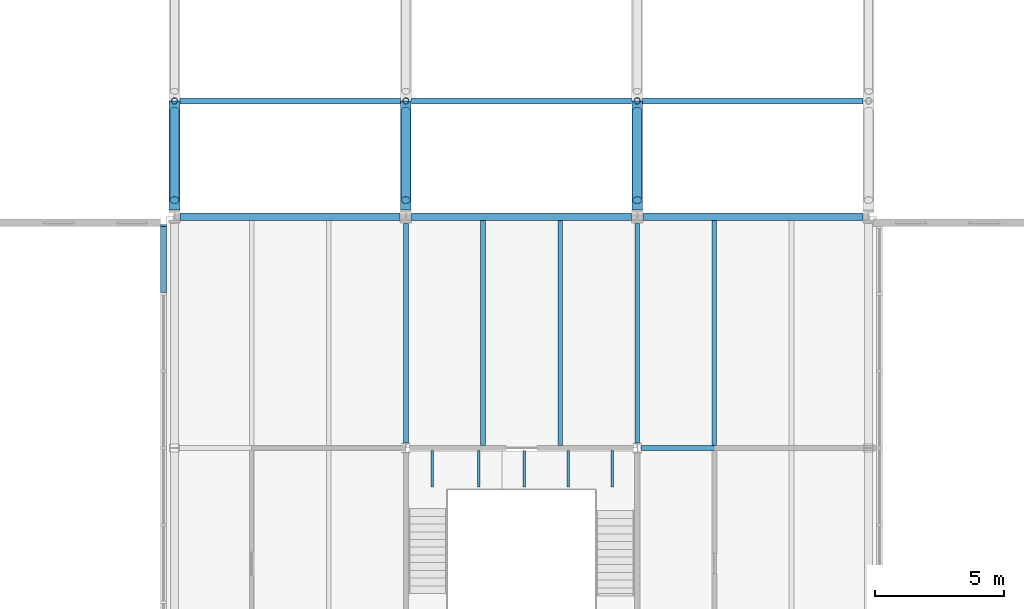
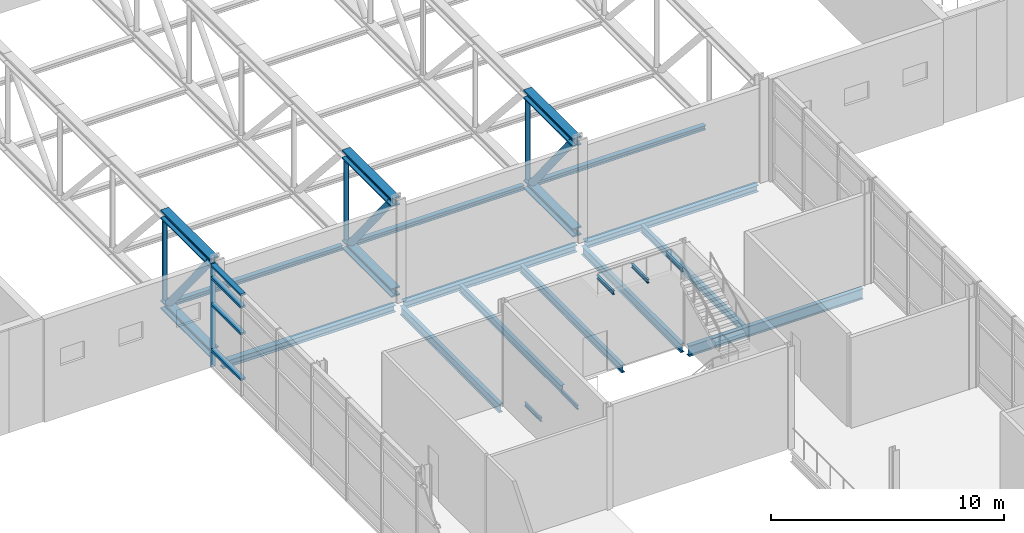
# One storey, part 18 of 53: 23 beams, 11 members, 1 element without a shape of its own.
"""IFC4 building model written with IfcOpenShell, lengths in metres."""

import ifcopenshell
import ifcopenshell.guid

model = None  # the IFC model being written
_history = None  # IfcOwnerHistory: only IFC2X3 demands one
_inside = {}  # id of a spatial element -> (the spatial element, [elements in it])
_under = {}  # id of a project, library or spatial element -> (it, [spatial elements below it])
_declared = {}  # id of a project -> (the project, [libraries it declares])
_typed = {}  # id of a type object -> (the type object, [elements of that type])
_made_of = {}  # id of a material, layer set ... -> (it, [elements and type objects made of it])


def new_model(schema):
    """Start an empty IFC model of exactly this schema.

    Asked for "IFC4X3", IfcOpenShell would pick the latest addendum, in which some entities
    have other attributes; the version numbers below select the first issue.
    IFC2X3 requires an IfcOwnerHistory on every rooted entity: one is made here for all.
    """
    global model, _history
    if schema == "IFC4X3":
        model = ifcopenshell.file(schema_version=(4, 3, 0, 0))
    else:
        model = ifcopenshell.file(schema=schema)
    _inside.clear()
    _under.clear()
    _declared.clear()
    _typed.clear()
    _made_of.clear()
    _history = None
    if model.schema == "IFC2X3":
        org = make("IfcOrganization", Name="unknown")
        user = make(
            "IfcPersonAndOrganization",
            ThePerson=make("IfcPerson", FamilyName="unknown"),
            TheOrganization=org,
        )
        app = make(
            "IfcApplication",
            ApplicationDeveloper=org,
            Version="unknown",
            ApplicationFullName="unknown",
            ApplicationIdentifier="unknown",
        )
        _history = make(
            "IfcOwnerHistory",
            OwningUser=user,
            OwningApplication=app,
            ChangeAction="ADDED",
            CreationDate=0,
        )
    return model


def make(cls, **values):
    """One entity of the class cls with the attributes given. An attribute that is None is left unset."""
    return model.create_entity(
        cls, **{name: value for name, value in values.items() if value is not None}
    )


def rooted(cls, **values):
    """An entity with a GlobalId (a new one), such as an element, a storey or a relation."""
    return make(cls, GlobalId=ifcopenshell.guid.new(), OwnerHistory=_history, **values)


def si_unit(unit_type, name, prefix=None):
    """IfcSIUnit, for example si_unit("LENGTHUNIT", "METRE", prefix="MILLI")."""
    return make("IfcSIUnit", UnitType=unit_type, Prefix=prefix, Name=name)


def assignment(units):
    """IfcUnitAssignment: the units of a project."""
    return None if units is None else make("IfcUnitAssignment", Units=units)


def point(xyz):
    """IfcCartesianPoint."""
    return None if xyz is None else make("IfcCartesianPoint", Coordinates=xyz)


def direction(xyz):
    """IfcDirection."""
    return None if xyz is None else make("IfcDirection", DirectionRatios=xyz)


def frame(location, z_axis=None, x_axis=None):
    """IfcAxis2Placement3D, a coordinate frame: its origin and axes. An axis left out is left unset."""
    return make(
        "IfcAxis2Placement3D",
        Location=point(location),
        Axis=direction(z_axis),
        RefDirection=direction(x_axis),
    )


def frame_2d(location, x_axis=None):
    """IfcAxis2Placement2D, a coordinate frame in the plane: its origin and x axis."""
    return make(
        "IfcAxis2Placement2D", Location=point(location), RefDirection=direction(x_axis)
    )


def origin():
    """The frame at (0, 0, 0) with its axes left unset."""
    return frame((0.0, 0.0, 0.0))


def origin_2d():
    """The frame at (0, 0) in the plane with its x axis left unset."""
    return frame_2d((0.0, 0.0))


def place(relative_to, where):
    """IfcLocalPlacement: puts the frame where relative to a parent placement (None: the world)."""
    return make(
        "IfcLocalPlacement", PlacementRelTo=relative_to, RelativePlacement=where
    )


def context(
    kind, dimensions, precision=None, world=None, true_north=None, identifier=None
):
    """IfcGeometricRepresentationContext, for example the 3D "Model" context."""
    return make(
        "IfcGeometricRepresentationContext",
        ContextIdentifier=identifier,
        ContextType=kind,
        CoordinateSpaceDimension=dimensions,
        Precision=precision,
        WorldCoordinateSystem=world,
        TrueNorth=true_north,
    )


def subcontext(parent, identifier, kind, view, scale=None):
    """IfcGeometricRepresentationSubContext, for example "Body" below "Model"."""
    return make(
        "IfcGeometricRepresentationSubContext",
        ContextIdentifier=identifier,
        ContextType=kind,
        ParentContext=parent,
        TargetScale=scale,
        TargetView=view,
    )


def project(units=None, contexts=None):
    """IfcProject with its units and contexts."""
    return rooted(
        "IfcProject",
        Name="project",
        RepresentationContexts=contexts,
        UnitsInContext=assignment(units),
    )


def spatial(cls, under=None, at=None, **own):
    """A site, building, storey or space (cls), placed at a placement, below another one or the project."""
    s = rooted(cls, ObjectPlacement=at, **own)
    if under is not None:
        _under.setdefault(under.id(), (under, []))[1].append(s)
    return s


def profile(cls, at=None, kind="AREA", **sizes):
    """A parametric profile (cls). Its sizes go by their IFC names, for example OverallWidth=200.0."""
    return make(cls, ProfileType=kind, Position=at, **sizes)


def rectangle(**sizes):
    """IfcRectangleProfileDef."""
    return profile("IfcRectangleProfileDef", **sizes)


def hollow_circle(**sizes):
    """IfcCircleHollowProfileDef."""
    return profile("IfcCircleHollowProfileDef", **sizes)


def i_section(**sizes):
    """IfcIShapeProfileDef."""
    return profile("IfcIShapeProfileDef", **sizes)


def extrude(swept, where, along, depth):
    """IfcExtrudedAreaSolid: the profile swept, set in the frame where, extruded along a direction by depth."""
    return make(
        "IfcExtrudedAreaSolid",
        SweptArea=swept,
        Position=where,
        ExtrudedDirection=direction(along),
        Depth=depth,
    )


def shape(context_of_items, identifier, shape_type, items):
    """IfcShapeRepresentation: the items that make up one representation, for example the "Body"."""
    return make(
        "IfcShapeRepresentation",
        ContextOfItems=context_of_items,
        RepresentationIdentifier=identifier,
        RepresentationType=shape_type,
        Items=items,
    )


def material(Name=None, Category=None):
    """IfcMaterial."""
    return make("IfcMaterial", Name=Name, Category=Category)


def material_profile(
    of_material, cross_section, Name=None, Category=None, Priority=None
):
    """IfcMaterialProfile: a cross section and its material."""
    return make(
        "IfcMaterialProfile",
        Name=Name,
        Material=of_material,
        Profile=cross_section,
        Priority=Priority,
        Category=Category,
    )


def profile_set(profiles, Name=None, composite=None):
    """IfcMaterialProfileSet."""
    return make(
        "IfcMaterialProfileSet",
        Name=Name,
        MaterialProfiles=profiles,
        CompositeProfile=composite,
    )


def made_of(thing, what):
    """Note that an element or type object is made of a material, layer set ...; save() writes the relation."""
    if what is not None:
        _made_of.setdefault(what.id(), (what, []))[1].append(thing)
    return thing


def type_object(cls, material=None, **own):
    """A type object (cls), such as IfcWallType, which elements share."""
    return made_of(rooted(cls, **own), material)


def element(
    cls,
    number,
    at=None,
    inside=None,
    cuts=None,
    type_object=None,
    material=None,
    context=None,
    identifier="Body",
    shape_type=None,
    held_by="IfcProductDefinitionShape",
    body=None,
    shapes=None,
    **own,
):
    """One element of the class cls, such as IfcWall. Its Tag is "e" and its number.

    at: its placement. inside: the storey or other place that contains it. cuts: it is an
    opening in that element (IfcRelVoidsElement). A single representation is given by context,
    identifier, shape_type and body (its items); several are given by shapes. held_by: the class
    of the entity that holds the representations. save() writes the other relations.
    """
    e = rooted(cls, Tag="e%d" % number, ObjectPlacement=at, **own)
    if body is not None:
        shapes = [shape(context, identifier, shape_type, body)]
    if shapes is not None:
        e.Representation = make(held_by, Representations=shapes)
    if inside is not None:
        _inside.setdefault(inside.id(), (inside, []))[1].append(e)
    if cuts is not None:
        rooted(
            "IfcRelVoidsElement", RelatingBuildingElement=cuts, RelatedOpeningElement=e
        )
    if type_object is not None:
        _typed.setdefault(type_object.id(), (type_object, []))[1].append(e)
    return made_of(e, material)


def aggregate(whole, parts):
    """IfcRelAggregates: a whole, such as a stair, and the parts it consists of."""
    return rooted("IfcRelAggregates", RelatingObject=whole, RelatedObjects=parts)


def save(model, path):
    """Write the relations noted so far, then the file.

    IfcRelAggregates (storeys below a building ...), IfcRelContainedInSpatialStructure (elements
    in a storey), IfcRelDefinesByType, IfcRelAssociatesMaterial and IfcRelDeclares: one each for
    every whole, place, type object, material and project.
    """
    for whole, parts in _under.values():
        aggregate(whole, parts)
    for where, things in _inside.values():
        rooted(
            "IfcRelContainedInSpatialStructure",
            RelatedElements=things,
            RelatingStructure=where,
        )
    for kind, things in _typed.values():
        rooted("IfcRelDefinesByType", RelatedObjects=things, RelatingType=kind)
    for what, things in _made_of.values():
        rooted("IfcRelAssociatesMaterial", RelatedObjects=things, RelatingMaterial=what)
    for by, libraries in _declared.values():
        rooted("IfcRelDeclares", RelatingContext=by, RelatedDefinitions=libraries)
    model.write(path)


model = new_model("IFC4")

# Units and contexts
model_context = context("Model", 3, precision=1e-05, world=origin(), true_north=direction((0.0, 1.0)))
body_context = subcontext(model_context, "Body", "Model", "MODEL_VIEW")
ifc_project = project(units=[si_unit("LENGTHUNIT", "METRE"), si_unit("AREAUNIT", "SQUARE_METRE"), si_unit("VOLUMEUNIT", "CUBIC_METRE"), si_unit("PLANEANGLEUNIT", "RADIAN"), si_unit("MASSUNIT", "GRAM", prefix="KILO")], contexts=[model_context])

# Site, building, storey
site_placement = place(None, origin())
site = spatial("IfcSite", under=ifc_project, at=site_placement, CompositionType="ELEMENT")
building_placement = place(site_placement, origin())
building = spatial("IfcBuilding", under=site, at=building_placement, Name="Azimuth Sports and Learning Centre", CompositionType="ELEMENT")
storey_placement = place(building_placement, frame((0.0, 0.0, 10.800048828125)))
storey = spatial("IfcBuildingStorey", under=building, at=storey_placement, Name="L02", CompositionType="ELEMENT", Elevation=10.800048828125)

# Beams
ifc_material_1 = material(Name="Steel S355", Category="steel")
ifc_material_profile_1 = material_profile(ifc_material_1, i_section(OverallWidth=0.239990234375, OverallDepth=0.239990234375, WebThickness=0.010009765625, FlangeThickness=0.01708984375, FilletRadius=0.02099609375, at=origin_2d()), Name="HEB 240")
ifc_profile_set_1 = profile_set([ifc_material_profile_1], Name="Steel S355")
beam_type_1 = type_object("IfcBeamType", Name="Beam HEB 240", PredefinedType="BEAM", material=ifc_profile_set_1)
for number, where, z_axis, x_axis, name in (
    (1, (72.2119140625, 94.5, 0.119873046875), (1.0, 0.0, 0.0), (0.0, 1.0, 0.0), "Floor truss bracing strut 1"),
    (2, (81.2119140625, 94.5, 0.119873046875), (1.0, 0.0, 0.0), (0.0, 1.0, 0.0), "Floor truss bracing strut 2"),
    (3, (90.2119140625, 94.5, 0.119873046875), (1.0, 0.0, 0.0), (0.0, 1.0, 0.0), "Floor truss bracing strut 3"),
):
    element("IfcBeam", number, at=place(storey_placement, frame(where, z_axis=z_axis, x_axis=x_axis)), inside=storey, type_object=beam_type_1, Name=name, PredefinedType="BEAM", context=body_context, shape_type="SweptSolid", body=[
        extrude(i_section(OverallWidth=0.239990234375, OverallDepth=0.239990234375, WebThickness=0.010009765625, FlangeThickness=0.01708984375, FilletRadius=0.02099609375, at=origin_2d()), origin(), (0.0, 0.0, 1.0), 8.576171875),
    ])
ifc_material_2 = material(Name="Steel S355", Category="steel")
ifc_material_profile_2 = material_profile(ifc_material_2, i_section(OverallWidth=0.10009765625, OverallDepth=0.199951171875, WebThickness=0.005615234375, FlangeThickness=0.008544921875, FilletRadius=0.011962890625, at=origin_2d()), Name="IPE 200")
ifc_profile_set_2 = profile_set([ifc_material_profile_2], Name="Steel S355")
beam_type_2 = type_object("IfcBeamType", Name="Beam IPE 200", PredefinedType="BEAM", material=ifc_profile_set_2)
for number, where, z_axis, x_axis, name in (
    (4, (82.02001953125, 80.89990234375, -0.300048828125), (0.0, -1.0, 0.0), (1.0, 0.0, 0.0), "Landing bracket STD L02 1177"),
    (5, (83.840087890625, 80.89990234375, -0.300048828125), (0.0, -1.0, 0.0), (1.0, 0.0, 0.0), "Landing bracket STD L02 1178"),
    (6, (85.606689453125, 80.89990234375, 5.099853515625), (0.0, -1.0, 0.0), (1.0, 0.0, 0.0), "Landing bracket STD L02 1183"),
    (7, (87.320068359375, 80.89990234375, 5.099853515625), (0.0, -1.0, 0.0), (1.0, 0.0, 0.0), "Landing bracket STD L02 1184"),
    (8, (89.033447265625, 80.89990234375, 5.099853515625), (0.0, -1.0, 0.0), (1.0, 0.0, 0.0), "Landing bracket STD L02 1185"),
):
    element("IfcBeam", number, at=place(storey_placement, frame(where, z_axis=z_axis, x_axis=x_axis)), inside=storey, type_object=beam_type_2, Name=name, PredefinedType="BEAM", context=body_context, shape_type="SweptSolid", body=[
        extrude(i_section(OverallWidth=0.10009765625, OverallDepth=0.199951171875, WebThickness=0.005615234375, FlangeThickness=0.008544921875, FilletRadius=0.011962890625, at=origin_2d()), origin(), (0.0, 0.0, 1.0), 1.409912109375),
    ])
ifc_material_3 = material(Name="Steel S355", Category="steel")
ifc_material_profile_3 = material_profile(ifc_material_3, i_section(OverallWidth=0.18994140625, OverallDepth=0.449951171875, WebThickness=0.009521484375, FlangeThickness=0.0146484375, FilletRadius=0.02099609375, at=origin_2d()), Name="IPE 450")
ifc_profile_set_3 = profile_set([ifc_material_profile_3], Name="Steel S355")
beam_type_3 = type_object("IfcBeamType", Name="Beam IPE 450", PredefinedType="BEAM", material=ifc_profile_set_3)
for number, where, z_axis, x_axis, name in (
    (9, (81.0, 81.199951171875, -0.375), (0.0, 1.0, 0.0), (-1.0, 0.0, 0.0), "Beam L02 ST 34"),
    (10, (90.0, 81.199951171875, -0.375), (0.0, 1.0, 0.0), (-1.0, 0.0, 0.0), "Beam L02 ST 40"),
):
    element("IfcBeam", number, at=place(storey_placement, frame(where, z_axis=z_axis, x_axis=x_axis)), inside=storey, type_object=beam_type_3, Name=name, PredefinedType="BEAM", context=body_context, shape_type="SweptSolid", body=[
        extrude(i_section(OverallWidth=0.18994140625, OverallDepth=0.449951171875, WebThickness=0.009521484375, FlangeThickness=0.0146484375, FilletRadius=0.02099609375, at=origin_2d()), origin(), (0.0, 0.0, 1.0), 8.53466796875),
    ])
ifc_material_4 = material(Name="Steel S355", Category="steel")
ifc_material_profile_4 = material_profile(ifc_material_4, i_section(OverallWidth=0.2099609375, OverallDepth=0.550048828125, WebThickness=0.010986328125, FlangeThickness=0.01708984375, FilletRadius=0.02392578125, at=origin_2d()), Name="IPE 550")
ifc_profile_set_4 = profile_set([ifc_material_profile_4], Name="Steel S355")
beam_type_4 = type_object("IfcBeamType", Name="Beam IPE 550", PredefinedType="BEAM", material=ifc_profile_set_4)
beam_1_placement = place(storey_placement, frame((90.14990234375, 81.0, -0.425048828125), z_axis=(1.0, 0.0, 0.0), x_axis=(0.0, 1.0, 0.0)))
element("IfcBeam", 11, at=beam_1_placement, inside=storey, type_object=beam_type_4, Name="Beam L02 ST 17", PredefinedType="BEAM", context=body_context, shape_type="SweptSolid", body=[
    extrude(i_section(OverallWidth=0.2099609375, OverallDepth=0.550048828125, WebThickness=0.010986328125, FlangeThickness=0.01708984375, FilletRadius=0.02392578125, at=origin_2d()), origin(), (0.0, 0.0, 1.0), 8.650146484375),
])
ifc_material_5 = material(Name="Steel S355", Category="steel")
ifc_material_profile_5 = material_profile(ifc_material_5, i_section(OverallWidth=0.300048828125, OverallDepth=0.35009765625, WebThickness=0.010009765625, FlangeThickness=0.017578125, FilletRadius=0.027099609375, at=origin_2d()), Name="HEA 360")
ifc_profile_set_5 = profile_set([ifc_material_profile_5], Name="Steel S355")
beam_type_5 = type_object("IfcBeamType", Name="Edge beam HEA 360", PredefinedType="SPANDREL", material=ifc_profile_set_5)
for number, where, z_axis, x_axis, name in (
    (12, (72.220947265625, 90.0, -0.324951171875), (1.0, 0.0, 0.0), (0.0, 1.0, 0.0), "Edge beam L02 ST 18"),
    (13, (81.220947265625, 90.0, -0.324951171875), (1.0, 0.0, 0.0), (0.0, 1.0, 0.0), "Edge beam L02 ST 19"),
    (14, (90.220947265625, 90.0, -0.324951171875), (1.0, 0.0, 0.0), (0.0, 1.0, 0.0), "Edge beam L02 ST 20"),
):
    element("IfcBeam", number, at=place(storey_placement, frame(where, z_axis=z_axis, x_axis=x_axis)), inside=storey, type_object=beam_type_5, Name=name, PredefinedType="SPANDREL", context=body_context, shape_type="SweptSolid", body=[
        extrude(i_section(OverallWidth=0.300048828125, OverallDepth=0.35009765625, WebThickness=0.010009765625, FlangeThickness=0.017578125, FilletRadius=0.027099609375, at=origin_2d()), origin(), (0.0, 0.0, 1.0), 8.55810546875),
    ])
ifc_material_6 = material(Name="Steel S355", Category="steel")
ifc_material_profile_6 = material_profile(ifc_material_6, i_section(OverallWidth=0.179931640625, OverallDepth=0.39990234375, WebThickness=0.008544921875, FlangeThickness=0.013427734375, FilletRadius=0.02099609375, at=origin_2d()), Name="IPE 400")
ifc_profile_set_6 = profile_set([ifc_material_profile_6], Name="Steel S355")
beam_type_6 = type_object("IfcBeamType", Name="Joist IPE 400", PredefinedType="JOIST", material=ifc_profile_set_6)
for number, where, z_axis, x_axis, name in (
    (15, (84.0, 81.10009765625, -0.35009765625), (0.0, 1.0, 0.0), (-1.0, 0.0, 0.0), "Joist L02 ST 69"),
    (16, (87.0, 81.10009765625, -0.35009765625), (0.0, 1.0, 0.0), (-1.0, 0.0, 0.0), "Joist L02 ST 75"),
):
    element("IfcBeam", number, at=place(storey_placement, frame(where, z_axis=z_axis, x_axis=x_axis)), inside=storey, type_object=beam_type_6, Name=name, PredefinedType="JOIST", context=body_context, shape_type="SweptSolid", body=[
        extrude(i_section(OverallWidth=0.179931640625, OverallDepth=0.39990234375, WebThickness=0.008544921875, FlangeThickness=0.013427734375, FilletRadius=0.02099609375, at=origin_2d()), origin(), (0.0, 0.0, 1.0), 8.75),
    ])
beam_2_placement = place(storey_placement, frame((93.0, 81.10498046875, -0.35009765625), z_axis=(0.0, 1.0, 0.0), x_axis=(-1.0, 0.0, 0.0)))
element("IfcBeam", 17, at=beam_2_placement, inside=storey, type_object=beam_type_6, Name="Joist L02 ST 83", PredefinedType="JOIST", context=body_context, shape_type="SweptSolid", body=[
    extrude(i_section(OverallWidth=0.179931640625, OverallDepth=0.39990234375, WebThickness=0.008544921875, FlangeThickness=0.013427734375, FilletRadius=0.02099609375, at=origin_2d()), origin(), (0.0, 0.0, 1.0), 8.7451171875),
])

# Curtain wall, members
ifc_material_7 = material(Name="Aluminium and glass", Category="aluminium")
curtain_wall_type = type_object("IfcCurtainWallType", Name="Curtain wall podium stem 240", PredefinedType="NOTDEFINED", material=ifc_material_7)
curtain_wall_placement = place(storey_placement, origin())
curtain_wall = element("IfcCurtainWall", 18, at=curtain_wall_placement, inside=storey, type_object=curtain_wall_type, Name="Curtain wall CW02-003", PredefinedType="NOTDEFINED")
ifc_material_8 = material(Name="Aluminium", Category="aluminium")
ifc_material_profile_7 = material_profile(ifc_material_8, rectangle(XDim=0.239990234375, YDim=0.080078125, at=origin_2d()), Name="Mullion 80x240")
ifc_profile_set_7 = profile_set([ifc_material_profile_7], Name="Aluminium")
member_type_1 = type_object("IfcMemberType", Name="Mullion 80x240", PredefinedType="MULLION", material=ifc_profile_set_7)
member_1_placement = place(storey_placement, frame((71.580078125, 89.659912109375, 0.0), z_axis=(0.0, 0.0, 1.0), x_axis=(1.0, 0.0, 0.0)))
member_1 = element("IfcMember", 19, at=member_1_placement, type_object=member_type_1, Name="CW02-003 mullion 1", PredefinedType="MULLION", context=body_context, shape_type="SweptSolid", body=[
    extrude(rectangle(XDim=0.239990234375, YDim=0.080078125, at=origin_2d()), origin(), (0.0, 0.0, 1.0), 5.39990234375),
])
ifc_material_9 = material(Name="Aluminium", Category="aluminium")
ifc_material_profile_8 = material_profile(ifc_material_9, rectangle(XDim=0.239990234375, YDim=0.1201171875, at=origin_2d()), Name="Transom 120x240")
ifc_profile_set_8 = profile_set([ifc_material_profile_8], Name="Aluminium")
member_type_2 = type_object("IfcMemberType", Name="Transom 120x240", PredefinedType="USERDEFINED", material=ifc_profile_set_8)
member_2_placement = place(storey_placement, frame((71.580078125, 89.6201171875, 0.89990234375), z_axis=(0.0, -1.0, 0.0), x_axis=(1.0, 0.0, 0.0)))
member_2 = element("IfcMember", 20, at=member_2_placement, type_object=member_type_2, Name="CW02-003 transom 1.2", ObjectType="TRANSOM", PredefinedType="USERDEFINED", context=body_context, shape_type="SweptSolid", body=[
    extrude(rectangle(XDim=0.239990234375, YDim=0.1201171875, at=origin_2d()), origin(), (0.0, 0.0, 1.0), 2.580078125),
])
member_3_placement = place(storey_placement, frame((71.580078125, 89.6201171875, 3.300048828125), z_axis=(0.0, -1.0, 0.0), x_axis=(1.0, 0.0, 0.0)))
member_3 = element("IfcMember", 21, at=member_3_placement, type_object=member_type_2, Name="CW02-003 transom 1.3", ObjectType="TRANSOM", PredefinedType="USERDEFINED", context=body_context, shape_type="SweptSolid", body=[
    extrude(rectangle(XDim=0.239990234375, YDim=0.1201171875, at=origin_2d()), origin(), (0.0, 0.0, 1.0), 2.580078125),
])
member_4_placement = place(storey_placement, frame((71.580078125, 89.6201171875, 4.699951171875), z_axis=(0.0, -1.0, 0.0), x_axis=(1.0, 0.0, 0.0)))
member_4 = element("IfcMember", 22, at=member_4_placement, type_object=member_type_2, Name="CW02-003 transom 1.4", ObjectType="TRANSOM", PredefinedType="USERDEFINED", context=body_context, shape_type="SweptSolid", body=[
    extrude(rectangle(XDim=0.239990234375, YDim=0.1201171875, at=origin_2d()), origin(), (0.0, 0.0, 1.0), 2.580078125),
])
member_5_placement = place(storey_placement, frame((71.580078125, 89.6201171875, 5.33984375), z_axis=(0.0, -1.0, 0.0), x_axis=(1.0, 0.0, 0.0)))
member_5 = element("IfcMember", 23, at=member_5_placement, type_object=member_type_2, Name="CW02-003 transom 1.5", ObjectType="TRANSOM", PredefinedType="USERDEFINED", context=body_context, shape_type="SweptSolid", body=[
    extrude(rectangle(XDim=0.239990234375, YDim=0.1201171875, at=origin_2d()), origin(), (0.0, 0.0, 1.0), 2.580078125),
])
aggregate(curtain_wall, [member_1, member_2, member_3, member_4, member_5])

# Beams
ifc_material_10 = material(Name="Steel S460", Category="steel")
ifc_material_profile_9 = material_profile(ifc_material_10, i_section(OverallWidth=0.41796875, OverallDepth=0.455078125, WebThickness=0.0419921875, FlangeThickness=0.067626953125, FilletRadius=0.014892578125, at=origin_2d()), Name="HD 400x551")
ifc_profile_set_9 = profile_set([ifc_material_profile_9], Name="Steel S460")
beam_type_7 = type_object("IfcBeamType", Name="Truss chord HD 400x551", PredefinedType="USERDEFINED", material=ifc_profile_set_9)
for number, where, z_axis, x_axis, name in (
    (24, (72.0, 90.257080078125, 4.952392578125), (0.0, 1.0, 0.0), (-1.0, 0.0, 0.0), "Floor truss FT-1 top chord 1"),
    (25, (72.0, 90.257080078125, 0.2275390625), (0.0, 1.0, 0.0), (-1.0, 0.0, 0.0), "Floor truss FT-1 bottom chord 1"),
    (26, (81.0, 90.257080078125, 4.952392578125), (0.0, 1.0, 0.0), (-1.0, 0.0, 0.0), "Floor truss FT-2 top chord 1"),
    (27, (81.0, 90.257080078125, 0.2275390625), (0.0, 1.0, 0.0), (-1.0, 0.0, 0.0), "Floor truss FT-2 bottom chord 1"),
    (28, (90.0, 90.257080078125, 4.952392578125), (0.0, 1.0, 0.0), (-1.0, 0.0, 0.0), "Floor truss FT-3 top chord 1"),
    (29, (90.0, 90.257080078125, 0.2275390625), (0.0, 1.0, 0.0), (-1.0, 0.0, 0.0), "Floor truss FT-3 bottom chord 1"),
):
    element("IfcBeam", number, at=place(storey_placement, frame(where, z_axis=z_axis, x_axis=x_axis)), inside=storey, type_object=beam_type_7, Name=name, ObjectType="TRUSS CHORD", PredefinedType="USERDEFINED", context=body_context, shape_type="SweptSolid", body=[
        extrude(i_section(OverallWidth=0.41796875, OverallDepth=0.455078125, WebThickness=0.0419921875, FlangeThickness=0.067626953125, FilletRadius=0.014892578125, at=origin_2d()), origin(), (0.0, 0.0, 1.0), 4.242919921875),
    ])

# Members
ifc_material_11 = material(Name="Steel S355", Category="steel")
ifc_material_profile_10 = material_profile(ifc_material_11, hollow_circle(Radius=0.177734375, WallThickness=0.01611328125, at=origin_2d()), Name="CHS 355.6x16.0")
ifc_profile_set_10 = profile_set([ifc_material_profile_10], Name="Steel S355")
member_type_3 = type_object("IfcMemberType", Name="Truss diagonal CHS 355.6x16.0", PredefinedType="BRACE", material=ifc_profile_set_10)
for number, where, z_axis, x_axis, name in (
    (30, (72.0, 90.64208984375, 4.724853515625), (0.0, 0.63097662628, -0.77580184138), (-1.0, 0.0, 0.0), "Floor truss FT-1 diagonal 1"),
    (31, (81.0, 90.64208984375, 4.724853515625), (0.0, 0.63097662628, -0.77580184138), (-1.0, 0.0, 0.0), "Floor truss FT-2 diagonal 1"),
    (32, (90.0, 90.64208984375, 4.724853515625), (0.0, 0.63097662628, -0.77580184138), (-1.0, 0.0, 0.0), "Floor truss FT-3 diagonal 1"),
):
    element("IfcMember", number, at=place(storey_placement, frame(where, z_axis=z_axis, x_axis=x_axis)), inside=storey, type_object=member_type_3, Name=name, PredefinedType="BRACE", context=body_context, shape_type="SweptSolid", body=[
        extrude(hollow_circle(Radius=0.177734375, WallThickness=0.01611328125, at=origin_2d()), origin(), (0.0, 0.0, 1.0), 5.50390625),
    ])
ifc_material_12 = material(Name="Steel S355", Category="steel")
ifc_material_profile_11 = material_profile(ifc_material_12, hollow_circle(Radius=0.122314453125, WallThickness=0.012451171875, at=origin_2d()), Name="CHS 244.5x12.5")
ifc_profile_set_11 = profile_set([ifc_material_profile_11], Name="Steel S355")
member_type_4 = type_object("IfcMemberType", Name="Truss post CHS 244.5x12.5", PredefinedType="POST", material=ifc_profile_set_11)
for number, where, z_axis, x_axis, name in (
    (33, (72.0, 94.5, 0.454833984375), (0.0, 0.0, 1.0), (1.0, 0.0, 0.0), "Floor truss FT-1 post 1"),
    (34, (81.0, 94.5, 0.454833984375), (0.0, 0.0, 1.0), (1.0, 0.0, 0.0), "Floor truss FT-2 post 1"),
    (35, (90.0, 94.5, 0.454833984375), (0.0, 0.0, 1.0), (1.0, 0.0, 0.0), "Floor truss FT-3 post 1"),
):
    element("IfcMember", number, at=place(storey_placement, frame(where, z_axis=z_axis, x_axis=x_axis)), inside=storey, type_object=member_type_4, Name=name, PredefinedType="POST", context=body_context, shape_type="SweptSolid", body=[
        extrude(hollow_circle(Radius=0.122314453125, WallThickness=0.012451171875, at=origin_2d()), origin(), (0.0, 0.0, 1.0), 4.27001953125),
    ])

save(model, "model.ifc")
